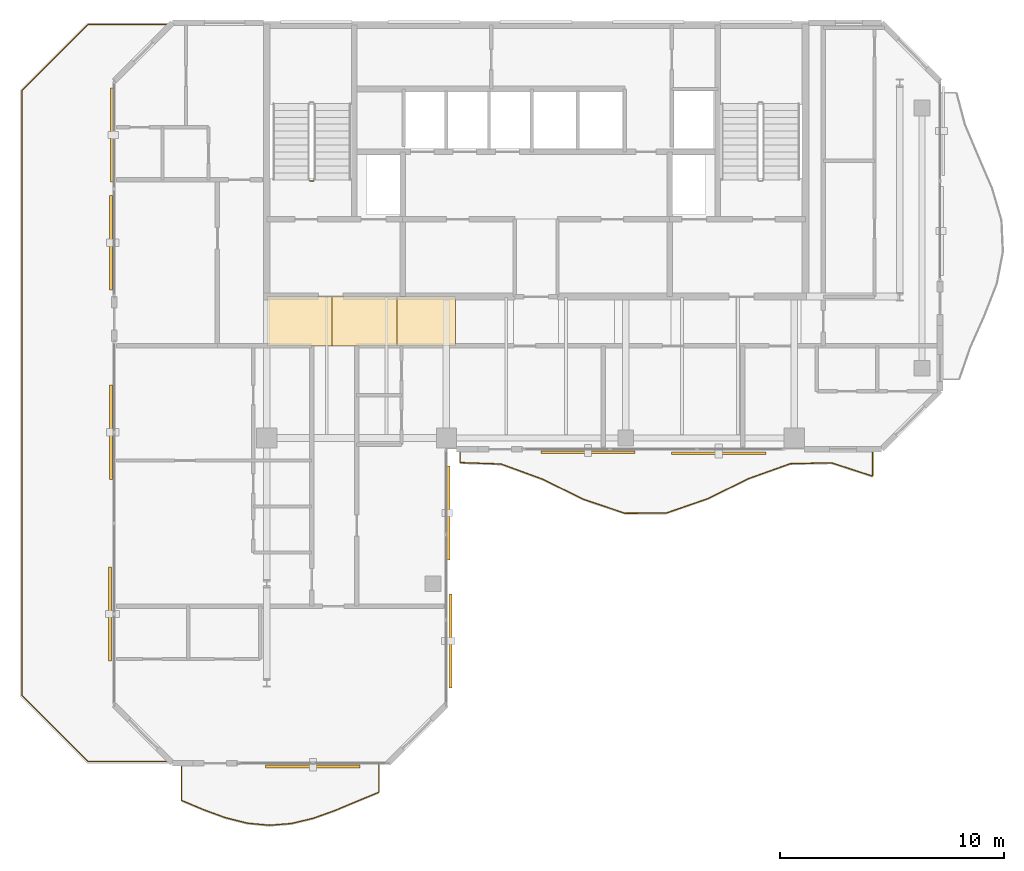
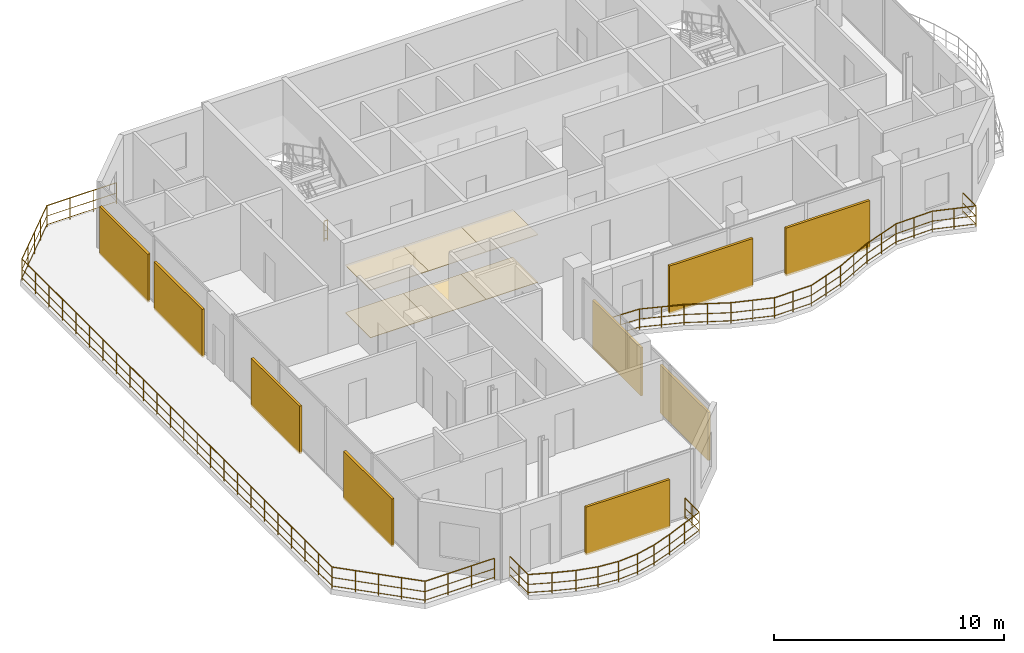
# One storey, part 17 of 18: 9 shading devices, 6 coverings, 5 railings.
"""IFC4 building model written with IfcOpenShell, lengths in metres."""

from ifc_helpers import new_model, si_unit, direction, frame, origin, origin_2d, place, context, subcontext, project, spatial, polyline, rectangle, circle, outline, extrude, material, layer, layer_set, type_object, element, save


model = new_model("IFC4")

# Units and contexts
model_context = context("Model", 3, precision=1e-05, world=origin(), true_north=direction((0.0, 1.0)))
body_context = subcontext(model_context, "Body", "Model", "MODEL_VIEW")
ifc_project = project(units=[si_unit("LENGTHUNIT", "METRE"), si_unit("AREAUNIT", "SQUARE_METRE"), si_unit("VOLUMEUNIT", "CUBIC_METRE"), si_unit("PLANEANGLEUNIT", "RADIAN"), si_unit("MASSUNIT", "GRAM", prefix="KILO")], contexts=[model_context])

# Site, building, storey
site_placement = place(None, origin())
site = spatial("IfcSite", under=ifc_project, at=site_placement, CompositionType="ELEMENT")
building_placement = place(site_placement, origin())
building = spatial("IfcBuilding", under=site, at=building_placement, Name="Catumbela Crestline Tower", CompositionType="ELEMENT")
storey_placement = place(building_placement, frame((0.0, 0.0, 264.0)))
storey = spatial("IfcBuildingStorey", under=building, at=storey_placement, Name="L68", CompositionType="ELEMENT", Elevation=264.0)

# Coverings
ifc_material_1 = material(Name="Mineral-fibre acoustic ceiling")
ifc_layer_1 = layer(ifc_material_1, 0.03, Name="Mineral-fibre acoustic ceiling")
ifc_layer_set_1 = layer_set([ifc_layer_1], Name="Mineral-fibre acoustic ceiling")
covering_type_1 = type_object("IfcCoveringType", Name="CC-AC", PredefinedType="CEILING", material=ifc_layer_set_1)
covering_1_placement = place(storey_placement, frame((0.0, 0.0, 2.52)))
element("IfcCovering", 1, at=covering_1_placement, inside=storey, type_object=covering_type_1, Name="L68 Corridor Acoustic Ceiling Bay 1", PredefinedType="CEILING", context=body_context, shape_type="SweptSolid", body=[
    extrude(outline(polyline([(16.0, 28.6), (18.9, 28.6), (18.9, 30.8), (16.0, 30.8), (16.0, 28.6)])), origin(), (0.0, 0.0, 1.0), 0.03),
])
covering_2_placement = place(storey_placement, frame((0.0, 0.0, 2.52)))
element("IfcCovering", 2, at=covering_2_placement, inside=storey, type_object=covering_type_1, Name="L68 Corridor Acoustic Ceiling Bay 2", PredefinedType="CEILING", context=body_context, shape_type="SweptSolid", body=[
    extrude(outline(polyline([(18.9, 28.6), (21.8, 28.6), (21.8, 30.8), (18.9, 30.8), (18.9, 28.6)])), origin(), (0.0, 0.0, 1.0), 0.03),
])
covering_3_placement = place(storey_placement, frame((0.0, 0.0, 2.52)))
element("IfcCovering", 3, at=covering_3_placement, inside=storey, type_object=covering_type_1, Name="L68 Corridor Acoustic Ceiling Bay 3", PredefinedType="CEILING", context=body_context, shape_type="SweptSolid", body=[
    extrude(outline(polyline([(21.8, 28.6), (24.4, 28.6), (24.4, 30.8), (21.8, 30.8), (21.8, 28.6)])), origin(), (0.0, 0.0, 1.0), 0.03),
])
ifc_material_2 = material(Name="Angolan grey-ochre granite", Category="masonry")
ifc_layer_2 = layer(ifc_material_2, 0.025, Name="Angolan grey-ochre granite")
ifc_layer_set_2 = layer_set([ifc_layer_2], Name="Angolan grey-ochre granite")
covering_type_2 = type_object("IfcCoveringType", Name="CF-GR", PredefinedType="FLOORING", material=ifc_layer_set_2)
covering_4_placement = place(storey_placement, origin())
element("IfcCovering", 4, at=covering_4_placement, inside=storey, type_object=covering_type_2, Name="L68 Corridor Granite Flooring Bay 1", PredefinedType="FLOORING", context=body_context, shape_type="SweptSolid", body=[
    extrude(outline(polyline([(16.0, 28.6), (18.9, 28.6), (18.9, 30.8), (16.0, 30.8), (16.0, 28.6)])), origin(), (0.0, 0.0, 1.0), 0.025),
])
covering_5_placement = place(storey_placement, origin())
element("IfcCovering", 5, at=covering_5_placement, inside=storey, type_object=covering_type_2, Name="L68 Corridor Granite Flooring Bay 2", PredefinedType="FLOORING", context=body_context, shape_type="SweptSolid", body=[
    extrude(outline(polyline([(18.9, 28.6), (21.8, 28.6), (21.8, 30.8), (18.9, 30.8), (18.9, 28.6)])), origin(), (0.0, 0.0, 1.0), 0.025),
])
covering_6_placement = place(storey_placement, origin())
element("IfcCovering", 6, at=covering_6_placement, inside=storey, type_object=covering_type_2, Name="L68 Corridor Granite Flooring Bay 3", PredefinedType="FLOORING", context=body_context, shape_type="SweptSolid", body=[
    extrude(outline(polyline([(21.8, 28.6), (24.4, 28.6), (24.4, 30.8), (21.8, 30.8), (21.8, 28.6)])), origin(), (0.0, 0.0, 1.0), 0.025),
])

# Railings
ifc_material_3 = material(Name="Stainless steel EN 1.4401", Category="steel")
railing_type_1 = type_object("IfcRailingType", Name="RB-1100", PredefinedType="BALUSTRADE", material=ifc_material_3)
railing_1_placement = place(storey_placement, frame((24.6, 23.94, 0.0)))
element("IfcRailing", 7, at=railing_1_placement, inside=storey, type_object=railing_type_1, Name="L68 Private Wave Balcony Balustrade 1", PredefinedType="BALUSTRADE", context=body_context, shape_type="SweptSolid", body=[
    extrude(circle(Radius=0.024, at=origin_2d()), frame((0.0, 0.0, 1.076), z_axis=(0.0, -1.0, 0.0), x_axis=(1.0, 0.0, 0.0)), (0.0, 0.0, 1.0), 0.5387),
    extrude(circle(Radius=0.0156, at=origin_2d()), frame((0.0, 0.0, 0.55), z_axis=(0.0, -1.0, 0.0), x_axis=(1.0, 0.0, 0.0)), (0.0, 0.0, 1.0), 0.5387),
    extrude(circle(Radius=0.0156, at=origin_2d()), frame((0.0, 0.0, 0.12), z_axis=(0.0, -1.0, 0.0), x_axis=(1.0, 0.0, 0.0)), (0.0, 0.0, 1.0), 0.5387),
    extrude(circle(Radius=0.024, at=origin_2d()), frame((0.0, -0.5387, 1.076), z_axis=(0.999391853654, -0.034870085329, 0.0), x_axis=(0.034870085329, 0.999391853654, 0.0)), (0.0, 0.0, 1.0), 1.8411),
    extrude(circle(Radius=0.0156, at=origin_2d()), frame((0.0, -0.5387, 0.55), z_axis=(0.999391853654, -0.034870085329, 0.0), x_axis=(0.034870085329, 0.999391853654, 0.0)), (0.0, 0.0, 1.0), 1.8411),
    extrude(circle(Radius=0.0156, at=origin_2d()), frame((0.0, -0.5387, 0.12), z_axis=(0.999391853654, -0.034870085329, 0.0), x_axis=(0.034870085329, 0.999391853654, 0.0)), (0.0, 0.0, 1.0), 1.8411),
    extrude(circle(Radius=0.024, at=origin_2d()), frame((1.84, -0.6029, 1.076), z_axis=(0.939150966947, -0.343504674324, 0.0), x_axis=(0.343504674324, 0.939150966947, 0.0)), (0.0, 0.0, 1.0), 1.9592),
    extrude(circle(Radius=0.0156, at=origin_2d()), frame((1.84, -0.6029, 0.55), z_axis=(0.939150966947, -0.343504674324, 0.0), x_axis=(0.343504674324, 0.939150966947, 0.0)), (0.0, 0.0, 1.0), 1.9592),
    extrude(circle(Radius=0.0156, at=origin_2d()), frame((1.84, -0.6029, 0.12), z_axis=(0.939150966947, -0.343504674324, 0.0), x_axis=(0.343504674324, 0.939150966947, 0.0)), (0.0, 0.0, 1.0), 1.9592),
    extrude(circle(Radius=0.024, at=origin_2d()), frame((3.68, -1.2759, 1.076), z_axis=(0.898028867435, -0.43993653321, 0.0), x_axis=(0.43993653321, 0.898028867435, 0.0)), (0.0, 0.0, 1.0), 2.0489),
    extrude(circle(Radius=0.0156, at=origin_2d()), frame((3.68, -1.2759, 0.55), z_axis=(0.898028867435, -0.43993653321, 0.0), x_axis=(0.43993653321, 0.898028867435, 0.0)), (0.0, 0.0, 1.0), 2.0489),
    extrude(circle(Radius=0.0156, at=origin_2d()), frame((3.68, -1.2759, 0.12), z_axis=(0.898028867435, -0.43993653321, 0.0), x_axis=(0.43993653321, 0.898028867435, 0.0)), (0.0, 0.0, 1.0), 2.0489),
    extrude(circle(Radius=0.024, at=origin_2d()), frame((5.52, -2.1773, 1.076), z_axis=(0.947601450983, -0.319454989155, 0.0), x_axis=(0.319454989155, 0.947601450983, 0.0)), (0.0, 0.0, 1.0), 1.9417),
    extrude(circle(Radius=0.0156, at=origin_2d()), frame((5.52, -2.1773, 0.55), z_axis=(0.947601450983, -0.319454989155, 0.0), x_axis=(0.319454989155, 0.947601450983, 0.0)), (0.0, 0.0, 1.0), 1.9417),
    extrude(circle(Radius=0.0156, at=origin_2d()), frame((5.52, -2.1773, 0.12), z_axis=(0.947601450983, -0.319454989155, 0.0), x_axis=(0.319454989155, 0.947601450983, 0.0)), (0.0, 0.0, 1.0), 1.9417),
    extrude(circle(Radius=0.024, at=origin_2d()), frame((7.36, -2.7976, 1.076), z_axis=(0.9999808075, 0.006195533264, 0.0), x_axis=(-0.006195533264, 0.9999808075, 0.0)), (0.0, 0.0, 1.0), 1.84),
    extrude(circle(Radius=0.0156, at=origin_2d()), frame((7.36, -2.7976, 0.55), z_axis=(0.9999808075, 0.006195533264, 0.0), x_axis=(-0.006195533264, 0.9999808075, 0.0)), (0.0, 0.0, 1.0), 1.84),
    extrude(circle(Radius=0.0156, at=origin_2d()), frame((7.36, -2.7976, 0.12), z_axis=(0.9999808075, 0.006195533264, 0.0), x_axis=(-0.006195533264, 0.9999808075, 0.0)), (0.0, 0.0, 1.0), 1.84),
    extrude(circle(Radius=0.024, at=origin_2d()), frame((9.2, -2.7862, 1.076), z_axis=(0.945037354701, 0.326962380436, 0.0), x_axis=(-0.326962380436, 0.945037354701, 0.0)), (0.0, 0.0, 1.0), 1.947),
    extrude(circle(Radius=0.0156, at=origin_2d()), frame((9.2, -2.7862, 0.55), z_axis=(0.945037354701, 0.326962380436, 0.0), x_axis=(-0.326962380436, 0.945037354701, 0.0)), (0.0, 0.0, 1.0), 1.947),
    extrude(circle(Radius=0.0156, at=origin_2d()), frame((9.2, -2.7862, 0.12), z_axis=(0.945037354701, 0.326962380436, 0.0), x_axis=(-0.326962380436, 0.945037354701, 0.0)), (0.0, 0.0, 1.0), 1.947),
    extrude(circle(Radius=0.024, at=origin_2d()), frame((11.04, -2.1496, 1.076), z_axis=(0.897913159106, 0.440172646475, 0.0), x_axis=(-0.440172646475, 0.897913159106, 0.0)), (0.0, 0.0, 1.0), 2.0492),
    extrude(circle(Radius=0.0156, at=origin_2d()), frame((11.04, -2.1496, 0.55), z_axis=(0.897913159106, 0.440172646475, 0.0), x_axis=(-0.440172646475, 0.897913159106, 0.0)), (0.0, 0.0, 1.0), 2.0492),
    extrude(circle(Radius=0.0156, at=origin_2d()), frame((11.04, -2.1496, 0.12), z_axis=(0.897913159106, 0.440172646475, 0.0), x_axis=(-0.440172646475, 0.897913159106, 0.0)), (0.0, 0.0, 1.0), 2.0492),
    extrude(circle(Radius=0.024, at=origin_2d()), frame((12.88, -1.2476, 1.076), z_axis=(0.941667785429, 0.336543878097, 0.0), x_axis=(-0.336543878097, 0.941667785429, 0.0)), (0.0, 0.0, 1.0), 1.954),
    extrude(circle(Radius=0.0156, at=origin_2d()), frame((12.88, -1.2476, 0.55), z_axis=(0.941667785429, 0.336543878097, 0.0), x_axis=(-0.336543878097, 0.941667785429, 0.0)), (0.0, 0.0, 1.0), 1.954),
    extrude(circle(Radius=0.0156, at=origin_2d()), frame((12.88, -1.2476, 0.12), z_axis=(0.941667785429, 0.336543878097, 0.0), x_axis=(-0.336543878097, 0.941667785429, 0.0)), (0.0, 0.0, 1.0), 1.954),
    extrude(circle(Radius=0.024, at=origin_2d()), frame((14.72, -0.59, 1.076), z_axis=(0.999744521378, 0.022602919614, 0.0), x_axis=(-0.022602919614, 0.999744521378, 0.0)), (0.0, 0.0, 1.0), 1.8405),
    extrude(circle(Radius=0.0156, at=origin_2d()), frame((14.72, -0.59, 0.55), z_axis=(0.999744521378, 0.022602919614, 0.0), x_axis=(-0.022602919614, 0.999744521378, 0.0)), (0.0, 0.0, 1.0), 1.8405),
    extrude(circle(Radius=0.0156, at=origin_2d()), frame((14.72, -0.59, 0.12), z_axis=(0.999744521378, 0.022602919614, 0.0), x_axis=(-0.022602919614, 0.999744521378, 0.0)), (0.0, 0.0, 1.0), 1.8405),
    extrude(circle(Radius=0.024, at=origin_2d()), frame((16.56, -0.5484, 1.076), z_axis=(0.951034068731, -0.309086072338, 0.0), x_axis=(0.309086072338, 0.951034068731, 0.0)), (0.0, 0.0, 1.0), 1.9347),
    extrude(circle(Radius=0.0156, at=origin_2d()), frame((16.56, -0.5484, 0.55), z_axis=(0.951034068731, -0.309086072338, 0.0), x_axis=(0.309086072338, 0.951034068731, 0.0)), (0.0, 0.0, 1.0), 1.9347),
    extrude(circle(Radius=0.0156, at=origin_2d()), frame((16.56, -0.5484, 0.12), z_axis=(0.951034068731, -0.309086072338, 0.0), x_axis=(0.309086072338, 0.951034068731, 0.0)), (0.0, 0.0, 1.0), 1.9347),
    extrude(circle(Radius=0.024, at=origin_2d()), frame((18.4, -1.1464, 1.076), z_axis=(0.0, 1.0, 0.0), x_axis=(-1.0, 0.0, 0.0)), (0.0, 0.0, 1.0), 1.1464),
    extrude(circle(Radius=0.0156, at=origin_2d()), frame((18.4, -1.1464, 0.55), z_axis=(0.0, 1.0, 0.0), x_axis=(-1.0, 0.0, 0.0)), (0.0, 0.0, 1.0), 1.1464),
    extrude(circle(Radius=0.0156, at=origin_2d()), frame((18.4, -1.1464, 0.12), z_axis=(0.0, 1.0, 0.0), x_axis=(-1.0, 0.0, 0.0)), (0.0, 0.0, 1.0), 1.1464),
    extrude(circle(Radius=0.021, at=origin_2d()), origin(), (0.0, 0.0, 1.0), 1.052),
    extrude(circle(Radius=0.021, at=origin_2d()), frame((0.0, -0.5387, 0.0)), (0.0, 0.0, 1.0), 1.052),
    extrude(circle(Radius=0.021, at=origin_2d()), frame((0.92, -0.5708, 0.0)), (0.0, 0.0, 1.0), 1.052),
    extrude(circle(Radius=0.021, at=origin_2d()), frame((1.84, -0.6029, 0.0)), (0.0, 0.0, 1.0), 1.052),
    extrude(circle(Radius=0.021, at=origin_2d()), frame((2.76, -0.9394, 0.0)), (0.0, 0.0, 1.0), 1.052),
    extrude(circle(Radius=0.021, at=origin_2d()), frame((3.68, -1.2759, 0.0)), (0.0, 0.0, 1.0), 1.052),
    extrude(circle(Radius=0.021, at=origin_2d()), frame((4.6, -1.7266, 0.0)), (0.0, 0.0, 1.0), 1.052),
    extrude(circle(Radius=0.021, at=origin_2d()), frame((5.52, -2.1773, 0.0)), (0.0, 0.0, 1.0), 1.052),
    extrude(circle(Radius=0.021, at=origin_2d()), frame((6.44, -2.4875, 0.0)), (0.0, 0.0, 1.0), 1.052),
    extrude(circle(Radius=0.021, at=origin_2d()), frame((7.36, -2.7976, 0.0)), (0.0, 0.0, 1.0), 1.052),
    extrude(circle(Radius=0.021, at=origin_2d()), frame((8.28, -2.7919, 0.0)), (0.0, 0.0, 1.0), 1.052),
    extrude(circle(Radius=0.021, at=origin_2d()), frame((9.2, -2.7862, 0.0)), (0.0, 0.0, 1.0), 1.052),
    extrude(circle(Radius=0.021, at=origin_2d()), frame((10.12, -2.4679, 0.0)), (0.0, 0.0, 1.0), 1.052),
    extrude(circle(Radius=0.021, at=origin_2d()), frame((11.04, -2.1496, 0.0)), (0.0, 0.0, 1.0), 1.052),
    extrude(circle(Radius=0.021, at=origin_2d()), frame((11.96, -1.6986, 0.0)), (0.0, 0.0, 1.0), 1.052),
    extrude(circle(Radius=0.021, at=origin_2d()), frame((12.88, -1.2476, 0.0)), (0.0, 0.0, 1.0), 1.052),
    extrude(circle(Radius=0.021, at=origin_2d()), frame((13.8, -0.9188, 0.0)), (0.0, 0.0, 1.0), 1.052),
    extrude(circle(Radius=0.021, at=origin_2d()), frame((14.72, -0.59, 0.0)), (0.0, 0.0, 1.0), 1.052),
    extrude(circle(Radius=0.021, at=origin_2d()), frame((15.64, -0.5692, 0.0)), (0.0, 0.0, 1.0), 1.052),
    extrude(circle(Radius=0.021, at=origin_2d()), frame((16.56, -0.5484, 0.0)), (0.0, 0.0, 1.0), 1.052),
    extrude(circle(Radius=0.021, at=origin_2d()), frame((17.48, -0.8474, 0.0)), (0.0, 0.0, 1.0), 1.052),
    extrude(circle(Radius=0.021, at=origin_2d()), frame((18.4, -1.1464, 0.0)), (0.0, 0.0, 1.0), 1.052),
    extrude(circle(Radius=0.021, at=origin_2d()), frame((18.4, 0.0, 0.0)), (0.0, 0.0, 1.0), 1.052),
])
railing_2_placement = place(storey_placement, frame((12.2, 9.94, 0.0)))
element("IfcRailing", 8, at=railing_2_placement, inside=storey, type_object=railing_type_1, Name="L68 Private Wave Balcony Balustrade 3", PredefinedType="BALUSTRADE", context=body_context, shape_type="SweptSolid", body=[
    extrude(circle(Radius=0.024, at=origin_2d()), frame((0.0, 0.0, 1.076), z_axis=(0.0, -1.0, 0.0), x_axis=(1.0, 0.0, 0.0)), (0.0, 0.0, 1.0), 1.5934),
    extrude(circle(Radius=0.0156, at=origin_2d()), frame((0.0, 0.0, 0.55), z_axis=(0.0, -1.0, 0.0), x_axis=(1.0, 0.0, 0.0)), (0.0, 0.0, 1.0), 1.5934),
    extrude(circle(Radius=0.0156, at=origin_2d()), frame((0.0, 0.0, 0.12), z_axis=(0.0, -1.0, 0.0), x_axis=(1.0, 0.0, 0.0)), (0.0, 0.0, 1.0), 1.5934),
    extrude(circle(Radius=0.024, at=origin_2d()), frame((0.0, -1.5934, 1.076), z_axis=(0.921569720082, -0.388212893948, 0.0), x_axis=(0.388212893948, 0.921569720082, 0.0)), (0.0, 0.0, 1.0), 1.061),
    extrude(circle(Radius=0.0156, at=origin_2d()), frame((0.0, -1.5934, 0.55), z_axis=(0.921569720082, -0.388212893948, 0.0), x_axis=(0.388212893948, 0.921569720082, 0.0)), (0.0, 0.0, 1.0), 1.061),
    extrude(circle(Radius=0.0156, at=origin_2d()), frame((0.0, -1.5934, 0.12), z_axis=(0.921569720082, -0.388212893948, 0.0), x_axis=(0.388212893948, 0.921569720082, 0.0)), (0.0, 0.0, 1.0), 1.061),
    extrude(circle(Radius=0.024, at=origin_2d()), frame((0.9778, -2.0053, 1.076), z_axis=(0.939008679496, -0.343893442552, 0.0), x_axis=(0.343893442552, 0.939008679496, 0.0)), (0.0, 0.0, 1.0), 1.0413),
    extrude(circle(Radius=0.0156, at=origin_2d()), frame((0.9778, -2.0053, 0.55), z_axis=(0.939008679496, -0.343893442552, 0.0), x_axis=(0.343893442552, 0.939008679496, 0.0)), (0.0, 0.0, 1.0), 1.0413),
    extrude(circle(Radius=0.0156, at=origin_2d()), frame((0.9778, -2.0053, 0.12), z_axis=(0.939008679496, -0.343893442552, 0.0), x_axis=(0.343893442552, 0.939008679496, 0.0)), (0.0, 0.0, 1.0), 1.0413),
    extrude(circle(Radius=0.024, at=origin_2d()), frame((1.9556, -2.3634, 1.076), z_axis=(0.970008121853, -0.243072506755, 0.0), x_axis=(0.243072506755, 0.970008121853, 0.0)), (0.0, 0.0, 1.0), 1.0079),
    extrude(circle(Radius=0.0156, at=origin_2d()), frame((1.9556, -2.3634, 0.55), z_axis=(0.970008121853, -0.243072506755, 0.0), x_axis=(0.243072506755, 0.970008121853, 0.0)), (0.0, 0.0, 1.0), 1.0079),
    extrude(circle(Radius=0.0156, at=origin_2d()), frame((1.9556, -2.3634, 0.12), z_axis=(0.970008121853, -0.243072506755, 0.0), x_axis=(0.243072506755, 0.970008121853, 0.0)), (0.0, 0.0, 1.0), 1.0079),
    extrude(circle(Radius=0.024, at=origin_2d()), frame((2.9333, -2.6084, 1.076), z_axis=(0.995659621087, -0.09306943073, 0.0), x_axis=(0.09306943073, 0.995659621087, 0.0)), (0.0, 0.0, 1.0), 0.9821),
    extrude(circle(Radius=0.0156, at=origin_2d()), frame((2.9333, -2.6084, 0.55), z_axis=(0.995659621087, -0.09306943073, 0.0), x_axis=(0.09306943073, 0.995659621087, 0.0)), (0.0, 0.0, 1.0), 0.9821),
    extrude(circle(Radius=0.0156, at=origin_2d()), frame((2.9333, -2.6084, 0.12), z_axis=(0.995659621087, -0.09306943073, 0.0), x_axis=(0.09306943073, 0.995659621087, 0.0)), (0.0, 0.0, 1.0), 0.9821),
    extrude(circle(Radius=0.024, at=origin_2d()), frame((3.9111, -2.6998, 1.076), z_axis=(0.996897727635, 0.078707818136, 0.0), x_axis=(-0.078707818136, 0.996897727635, 0.0)), (0.0, 0.0, 1.0), 0.9808),
    extrude(circle(Radius=0.0156, at=origin_2d()), frame((3.9111, -2.6998, 0.55), z_axis=(0.996897727635, 0.078707818136, 0.0), x_axis=(-0.078707818136, 0.996897727635, 0.0)), (0.0, 0.0, 1.0), 0.9808),
    extrude(circle(Radius=0.0156, at=origin_2d()), frame((3.9111, -2.6998, 0.12), z_axis=(0.996897727635, 0.078707818136, 0.0), x_axis=(-0.078707818136, 0.996897727635, 0.0)), (0.0, 0.0, 1.0), 0.9808),
    extrude(circle(Radius=0.024, at=origin_2d()), frame((4.8889, -2.6226, 1.076), z_axis=(0.972718619621, 0.231988118322, 0.0), x_axis=(-0.231988118322, 0.972718619621, 0.0)), (0.0, 0.0, 1.0), 1.0052),
    extrude(circle(Radius=0.0156, at=origin_2d()), frame((4.8889, -2.6226, 0.55), z_axis=(0.972718619621, 0.231988118322, 0.0), x_axis=(-0.231988118322, 0.972718619621, 0.0)), (0.0, 0.0, 1.0), 1.0052),
    extrude(circle(Radius=0.0156, at=origin_2d()), frame((4.8889, -2.6226, 0.12), z_axis=(0.972718619621, 0.231988118322, 0.0), x_axis=(-0.231988118322, 0.972718619621, 0.0)), (0.0, 0.0, 1.0), 1.0052),
    extrude(circle(Radius=0.024, at=origin_2d()), frame((5.8667, -2.3894, 1.076), z_axis=(0.941338249995, 0.337464515315, 0.0), x_axis=(-0.337464515315, 0.941338249995, 0.0)), (0.0, 0.0, 1.0), 1.0386),
    extrude(circle(Radius=0.0156, at=origin_2d()), frame((5.8667, -2.3894, 0.55), z_axis=(0.941338249995, 0.337464515315, 0.0), x_axis=(-0.337464515315, 0.941338249995, 0.0)), (0.0, 0.0, 1.0), 1.0386),
    extrude(circle(Radius=0.0156, at=origin_2d()), frame((5.8667, -2.3894, 0.12), z_axis=(0.941338249995, 0.337464515315, 0.0), x_axis=(-0.337464515315, 0.941338249995, 0.0)), (0.0, 0.0, 1.0), 1.0386),
    extrude(circle(Radius=0.024, at=origin_2d()), frame((6.8444, -2.0389, 1.076), z_axis=(0.922243202918, 0.386610236118, 0.0), x_axis=(-0.386610236118, 0.922243202918, 0.0)), (0.0, 0.0, 1.0), 1.0602),
    extrude(circle(Radius=0.0156, at=origin_2d()), frame((6.8444, -2.0389, 0.55), z_axis=(0.922243202918, 0.386610236118, 0.0), x_axis=(-0.386610236118, 0.922243202918, 0.0)), (0.0, 0.0, 1.0), 1.0602),
    extrude(circle(Radius=0.0156, at=origin_2d()), frame((6.8444, -2.0389, 0.12), z_axis=(0.922243202918, 0.386610236118, 0.0), x_axis=(-0.386610236118, 0.922243202918, 0.0)), (0.0, 0.0, 1.0), 1.0602),
    extrude(circle(Radius=0.024, at=origin_2d()), frame((7.8222, -1.629, 1.076), z_axis=(0.925085114488, 0.379759833254, 0.0), x_axis=(-0.379759833254, 0.925085114488, 0.0)), (0.0, 0.0, 1.0), 1.057),
    extrude(circle(Radius=0.0156, at=origin_2d()), frame((7.8222, -1.629, 0.55), z_axis=(0.925085114488, 0.379759833254, 0.0), x_axis=(-0.379759833254, 0.925085114488, 0.0)), (0.0, 0.0, 1.0), 1.057),
    extrude(circle(Radius=0.0156, at=origin_2d()), frame((7.8222, -1.629, 0.12), z_axis=(0.925085114488, 0.379759833254, 0.0), x_axis=(-0.379759833254, 0.925085114488, 0.0)), (0.0, 0.0, 1.0), 1.057),
    extrude(circle(Radius=0.024, at=origin_2d()), frame((8.8, -1.2276, 1.076), z_axis=(0.0, 1.0, 0.0), x_axis=(-1.0, 0.0, 0.0)), (0.0, 0.0, 1.0), 1.2276),
    extrude(circle(Radius=0.0156, at=origin_2d()), frame((8.8, -1.2276, 0.55), z_axis=(0.0, 1.0, 0.0), x_axis=(-1.0, 0.0, 0.0)), (0.0, 0.0, 1.0), 1.2276),
    extrude(circle(Radius=0.0156, at=origin_2d()), frame((8.8, -1.2276, 0.12), z_axis=(0.0, 1.0, 0.0), x_axis=(-1.0, 0.0, 0.0)), (0.0, 0.0, 1.0), 1.2276),
    extrude(circle(Radius=0.021, at=origin_2d()), origin(), (0.0, 0.0, 1.0), 1.052),
    extrude(circle(Radius=0.021, at=origin_2d()), frame((0.0, -0.7967, 0.0)), (0.0, 0.0, 1.0), 1.052),
    extrude(circle(Radius=0.021, at=origin_2d()), frame((0.0, -1.5934, 0.0)), (0.0, 0.0, 1.0), 1.052),
    extrude(circle(Radius=0.021, at=origin_2d()), frame((0.9778, -2.0053, 0.0)), (0.0, 0.0, 1.0), 1.052),
    extrude(circle(Radius=0.021, at=origin_2d()), frame((1.9556, -2.3634, 0.0)), (0.0, 0.0, 1.0), 1.052),
    extrude(circle(Radius=0.021, at=origin_2d()), frame((2.9333, -2.6084, 0.0)), (0.0, 0.0, 1.0), 1.052),
    extrude(circle(Radius=0.021, at=origin_2d()), frame((3.9111, -2.6998, 0.0)), (0.0, 0.0, 1.0), 1.052),
    extrude(circle(Radius=0.021, at=origin_2d()), frame((4.8889, -2.6226, 0.0)), (0.0, 0.0, 1.0), 1.052),
    extrude(circle(Radius=0.021, at=origin_2d()), frame((5.8667, -2.3894, 0.0)), (0.0, 0.0, 1.0), 1.052),
    extrude(circle(Radius=0.021, at=origin_2d()), frame((6.8444, -2.0389, 0.0)), (0.0, 0.0, 1.0), 1.052),
    extrude(circle(Radius=0.021, at=origin_2d()), frame((7.8222, -1.629, 0.0)), (0.0, 0.0, 1.0), 1.052),
    extrude(circle(Radius=0.021, at=origin_2d()), frame((8.8, -1.2276, 0.0)), (0.0, 0.0, 1.0), 1.052),
    extrude(circle(Radius=0.021, at=origin_2d()), frame((8.8, -0.6138, 0.0)), (0.0, 0.0, 1.0), 1.052),
    extrude(circle(Radius=0.021, at=origin_2d()), frame((8.8, 0.0, 0.0)), (0.0, 0.0, 1.0), 1.052),
])
railing_type_2 = type_object("IfcRailingType", Name="RG-1100", PredefinedType="GUARDRAIL", material=ifc_material_3)
railing_3_placement = place(storey_placement, frame((18.09, 35.95, 0.0)))
element("IfcRailing", 9, at=railing_3_placement, inside=storey, type_object=railing_type_2, Name="L68 ST-01 stair guard 4", PredefinedType="GUARDRAIL", context=body_context, shape_type="SweptSolid", body=[
    extrude(circle(Radius=0.024, at=origin_2d()), frame((0.0, 0.0, 1.076), z_axis=(-1.0, 0.0, 0.0), x_axis=(0.0, -1.0, 0.0)), (0.0, 0.0, 1.0), 0.18),
    extrude(circle(Radius=0.0156, at=origin_2d()), frame((0.0, 0.0, 0.55), z_axis=(-1.0, 0.0, 0.0), x_axis=(0.0, -1.0, 0.0)), (0.0, 0.0, 1.0), 0.18),
    extrude(circle(Radius=0.0156, at=origin_2d()), frame((0.0, 0.0, 0.12), z_axis=(-1.0, 0.0, 0.0), x_axis=(0.0, -1.0, 0.0)), (0.0, 0.0, 1.0), 0.18),
    extrude(circle(Radius=0.021, at=origin_2d()), origin(), (0.0, 0.0, 1.0), 1.052),
    extrude(circle(Radius=0.021, at=origin_2d()), frame((-0.18, 0.0, 0.0)), (0.0, 0.0, 1.0), 1.052),
])
railing_type_3 = type_object("IfcRailingType", Name="RT-1150", PredefinedType="BALUSTRADE", material=ifc_material_3)
railing_4_placement = place(storey_placement, frame((5.08, 13.0331, 0.0)))
element("IfcRailing", 10, at=railing_4_placement, inside=storey, type_object=railing_type_3, Name="L68 Stepped Terrace Balustrade 1-1", PredefinedType="BALUSTRADE", context=body_context, shape_type="SweptSolid", body=[
    extrude(circle(Radius=0.024, at=origin_2d()), frame((0.0, 0.0, 1.126), z_axis=(0.0, 1.0, 0.0), x_axis=(-1.0, 0.0, 0.0)), (0.0, 0.0, 1.0), 26.9338),
    extrude(circle(Radius=0.0156, at=origin_2d()), frame((0.0, 0.0, 0.575), z_axis=(0.0, 1.0, 0.0), x_axis=(-1.0, 0.0, 0.0)), (0.0, 0.0, 1.0), 26.9338),
    extrude(circle(Radius=0.0156, at=origin_2d()), frame((0.0, 0.0, 0.12), z_axis=(0.0, 1.0, 0.0), x_axis=(-1.0, 0.0, 0.0)), (0.0, 0.0, 1.0), 26.9338),
    extrude(circle(Radius=0.024, at=origin_2d()), frame((0.0, 26.9338, 1.126), z_axis=(0.707106781187, 0.707106781187, 0.0), x_axis=(-0.707106781187, 0.707106781187, 0.0)), (0.0, 0.0, 1.0), 4.1763),
    extrude(circle(Radius=0.0156, at=origin_2d()), frame((0.0, 26.9338, 0.575), z_axis=(0.707106781187, 0.707106781187, 0.0), x_axis=(-0.707106781187, 0.707106781187, 0.0)), (0.0, 0.0, 1.0), 4.1763),
    extrude(circle(Radius=0.0156, at=origin_2d()), frame((0.0, 26.9338, 0.12), z_axis=(0.707106781187, 0.707106781187, 0.0), x_axis=(-0.707106781187, 0.707106781187, 0.0)), (0.0, 0.0, 1.0), 4.1763),
    extrude(circle(Radius=0.024, at=origin_2d()), frame((2.9531, 29.8869, 1.126), z_axis=(1.0, 0.0, 0.0), x_axis=(0.0, 1.0, 0.0)), (0.0, 0.0, 1.0), 3.4889),
    extrude(circle(Radius=0.0156, at=origin_2d()), frame((2.9531, 29.8869, 0.575), z_axis=(1.0, 0.0, 0.0), x_axis=(0.0, 1.0, 0.0)), (0.0, 0.0, 1.0), 3.4889),
    extrude(circle(Radius=0.0156, at=origin_2d()), frame((2.9531, 29.8869, 0.12), z_axis=(1.0, 0.0, 0.0), x_axis=(0.0, 1.0, 0.0)), (0.0, 0.0, 1.0), 3.4889),
    extrude(circle(Radius=0.021, at=origin_2d()), origin(), (0.0, 0.0, 1.0), 1.102),
    extrude(circle(Radius=0.021, at=origin_2d()), frame((0.0, 1.171, 0.0)), (0.0, 0.0, 1.0), 1.102),
    extrude(circle(Radius=0.021, at=origin_2d()), frame((0.0, 2.3421, 0.0)), (0.0, 0.0, 1.0), 1.102),
    extrude(circle(Radius=0.021, at=origin_2d()), frame((0.0, 3.5131, 0.0)), (0.0, 0.0, 1.0), 1.102),
    extrude(circle(Radius=0.021, at=origin_2d()), frame((0.0, 4.6841, 0.0)), (0.0, 0.0, 1.0), 1.102),
    extrude(circle(Radius=0.021, at=origin_2d()), frame((0.0, 5.8552, 0.0)), (0.0, 0.0, 1.0), 1.102),
    extrude(circle(Radius=0.021, at=origin_2d()), frame((0.0, 7.0262, 0.0)), (0.0, 0.0, 1.0), 1.102),
    extrude(circle(Radius=0.021, at=origin_2d()), frame((0.0, 8.1972, 0.0)), (0.0, 0.0, 1.0), 1.102),
    extrude(circle(Radius=0.021, at=origin_2d()), frame((0.0, 9.3683, 0.0)), (0.0, 0.0, 1.0), 1.102),
    extrude(circle(Radius=0.021, at=origin_2d()), frame((0.0, 10.5393, 0.0)), (0.0, 0.0, 1.0), 1.102),
    extrude(circle(Radius=0.021, at=origin_2d()), frame((0.0, 11.7103, 0.0)), (0.0, 0.0, 1.0), 1.102),
    extrude(circle(Radius=0.021, at=origin_2d()), frame((0.0, 12.8814, 0.0)), (0.0, 0.0, 1.0), 1.102),
    extrude(circle(Radius=0.021, at=origin_2d()), frame((0.0, 14.0524, 0.0)), (0.0, 0.0, 1.0), 1.102),
    extrude(circle(Radius=0.021, at=origin_2d()), frame((0.0, 15.2235, 0.0)), (0.0, 0.0, 1.0), 1.102),
    extrude(circle(Radius=0.021, at=origin_2d()), frame((0.0, 16.3945, 0.0)), (0.0, 0.0, 1.0), 1.102),
    extrude(circle(Radius=0.021, at=origin_2d()), frame((0.0, 17.5655, 0.0)), (0.0, 0.0, 1.0), 1.102),
    extrude(circle(Radius=0.021, at=origin_2d()), frame((0.0, 18.7366, 0.0)), (0.0, 0.0, 1.0), 1.102),
    extrude(circle(Radius=0.021, at=origin_2d()), frame((0.0, 19.9076, 0.0)), (0.0, 0.0, 1.0), 1.102),
    extrude(circle(Radius=0.021, at=origin_2d()), frame((0.0, 21.0786, 0.0)), (0.0, 0.0, 1.0), 1.102),
    extrude(circle(Radius=0.021, at=origin_2d()), frame((0.0, 22.2497, 0.0)), (0.0, 0.0, 1.0), 1.102),
    extrude(circle(Radius=0.021, at=origin_2d()), frame((0.0, 23.4207, 0.0)), (0.0, 0.0, 1.0), 1.102),
    extrude(circle(Radius=0.021, at=origin_2d()), frame((0.0, 24.5917, 0.0)), (0.0, 0.0, 1.0), 1.102),
    extrude(circle(Radius=0.021, at=origin_2d()), frame((0.0, 25.7628, 0.0)), (0.0, 0.0, 1.0), 1.102),
    extrude(circle(Radius=0.021, at=origin_2d()), frame((0.0, 26.9338, 0.0)), (0.0, 0.0, 1.0), 1.102),
    extrude(circle(Radius=0.021, at=origin_2d()), frame((0.7383, 27.6721, 0.0)), (0.0, 0.0, 1.0), 1.102),
    extrude(circle(Radius=0.021, at=origin_2d()), frame((1.4765, 28.4104, 0.0)), (0.0, 0.0, 1.0), 1.102),
    extrude(circle(Radius=0.021, at=origin_2d()), frame((2.2148, 29.1486, 0.0)), (0.0, 0.0, 1.0), 1.102),
    extrude(circle(Radius=0.021, at=origin_2d()), frame((2.9531, 29.8869, 0.0)), (0.0, 0.0, 1.0), 1.102),
    extrude(circle(Radius=0.021, at=origin_2d()), frame((4.1161, 29.8869, 0.0)), (0.0, 0.0, 1.0), 1.102),
    extrude(circle(Radius=0.021, at=origin_2d()), frame((5.279, 29.8869, 0.0)), (0.0, 0.0, 1.0), 1.102),
    extrude(circle(Radius=0.021, at=origin_2d()), frame((6.442, 29.8869, 0.0)), (0.0, 0.0, 1.0), 1.102),
])
railing_5_placement = place(storey_placement, frame((11.522, 10.08, 0.0)))
element("IfcRailing", 11, at=railing_5_placement, inside=storey, type_object=railing_type_3, Name="L68 Stepped Terrace Balustrade 1-2", PredefinedType="BALUSTRADE", context=body_context, shape_type="SweptSolid", body=[
    extrude(circle(Radius=0.024, at=origin_2d()), frame((0.0, 0.0, 1.126), z_axis=(-1.0, 0.0, 0.0), x_axis=(0.0, -1.0, 0.0)), (0.0, 0.0, 1.0), 3.4889),
    extrude(circle(Radius=0.0156, at=origin_2d()), frame((0.0, 0.0, 0.575), z_axis=(-1.0, 0.0, 0.0), x_axis=(0.0, -1.0, 0.0)), (0.0, 0.0, 1.0), 3.4889),
    extrude(circle(Radius=0.0156, at=origin_2d()), frame((0.0, 0.0, 0.12), z_axis=(-1.0, 0.0, 0.0), x_axis=(0.0, -1.0, 0.0)), (0.0, 0.0, 1.0), 3.4889),
    extrude(circle(Radius=0.024, at=origin_2d()), frame((-3.4889, 0.0, 1.126), z_axis=(-0.707106781187, 0.707106781187, 0.0), x_axis=(-0.707106781187, -0.707106781187, 0.0)), (0.0, 0.0, 1.0), 4.1763),
    extrude(circle(Radius=0.0156, at=origin_2d()), frame((-3.4889, 0.0, 0.575), z_axis=(-0.707106781187, 0.707106781187, 0.0), x_axis=(-0.707106781187, -0.707106781187, 0.0)), (0.0, 0.0, 1.0), 4.1763),
    extrude(circle(Radius=0.0156, at=origin_2d()), frame((-3.4889, 0.0, 0.12), z_axis=(-0.707106781187, 0.707106781187, 0.0), x_axis=(-0.707106781187, -0.707106781187, 0.0)), (0.0, 0.0, 1.0), 4.1763),
    extrude(circle(Radius=0.021, at=origin_2d()), origin(), (0.0, 0.0, 1.0), 1.102),
    extrude(circle(Radius=0.021, at=origin_2d()), frame((-1.163, 0.0, 0.0)), (0.0, 0.0, 1.0), 1.102),
    extrude(circle(Radius=0.021, at=origin_2d()), frame((-2.3259, 0.0, 0.0)), (0.0, 0.0, 1.0), 1.102),
    extrude(circle(Radius=0.021, at=origin_2d()), frame((-3.4889, 0.0, 0.0)), (0.0, 0.0, 1.0), 1.102),
    extrude(circle(Radius=0.021, at=origin_2d()), frame((-4.2272, 0.7383, 0.0)), (0.0, 0.0, 1.0), 1.102),
    extrude(circle(Radius=0.021, at=origin_2d()), frame((-4.9655, 1.4765, 0.0)), (0.0, 0.0, 1.0), 1.102),
    extrude(circle(Radius=0.021, at=origin_2d()), frame((-5.7037, 2.2148, 0.0)), (0.0, 0.0, 1.0), 1.102),
    extrude(circle(Radius=0.021, at=origin_2d()), frame((-6.442, 2.9531, 0.0)), (0.0, 0.0, 1.0), 1.102),
])

# Shading devices
ifc_material_4 = material(Name="Extruded terracotta ceramic", Category="masonry")
shading_device_type_1 = type_object("IfcShadingDeviceType", Name="ST-180", PredefinedType="USERDEFINED", material=ifc_material_4)
for number, where, z_axis, x_axis, name in (
    (12, (24.099, 21.15, -0.1), (0.0, 0.0, 1.0), (0.0, 1.0, 0.0), "L68 Perforated Terracotta Solar Screen 831 (180 mm)"),
    (13, (9.101, 38.0, -0.1), (0.0, 0.0, 1.0), (0.0, -1.0, 0.0), "L68 Perforated Terracotta Solar Screen 836 (180 mm)"),
):
    element("IfcShadingDevice", number, at=place(storey_placement, frame(where, z_axis=z_axis, x_axis=x_axis)), inside=storey, type_object=shading_device_type_1, Name=name, ObjectType="SCREEN", PredefinedType="USERDEFINED", context=body_context, shape_type="SweptSolid", body=[
        extrude(rectangle(XDim=4.2, YDim=0.12, at=origin_2d()), origin(), (0.0, 0.0, 1.0), 2.55),
    ])
shading_device_type_2 = type_object("IfcShadingDeviceType", Name="ST-260", PredefinedType="USERDEFINED", material=ifc_material_4)
for number, where, z_axis, x_axis, name in (
    (14, (18.05, 9.857, -0.1), (0.0, 0.0, 1.0), (1.0, 0.0, 0.0), "L68 Perforated Terracotta Solar Screen 829 (260 mm)"),
    (15, (30.3125, 23.857, -0.1), (0.0, 0.0, 1.0), (1.0, 0.0, 0.0), "L68 Perforated Terracotta Solar Screen 832 (260 mm)"),
    (16, (9.057, 33.2, -0.1), (0.0, 0.0, 1.0), (0.0, -1.0, 0.0), "L68 Perforated Terracotta Solar Screen 837 (260 mm)"),
    (17, (9.057, 24.75, -0.1), (0.0, 0.0, 1.0), (0.0, -1.0, 0.0), "L68 Perforated Terracotta Solar Screen 838 (260 mm)"),
):
    element("IfcShadingDevice", number, at=place(storey_placement, frame(where, z_axis=z_axis, x_axis=x_axis)), inside=storey, type_object=shading_device_type_2, Name=name, ObjectType="SCREEN", PredefinedType="USERDEFINED", context=body_context, shape_type="SweptSolid", body=[
        extrude(rectangle(XDim=4.2, YDim=0.12, at=origin_2d()), origin(), (0.0, 0.0, 1.0), 2.55),
    ])
shading_device_type_3 = type_object("IfcShadingDeviceType", Name="ST-340", PredefinedType="USERDEFINED", material=ifc_material_4)
for number, where, z_axis, x_axis, name in (
    (18, (24.187, 15.45, -0.1), (0.0, 0.0, 1.0), (0.0, 1.0, 0.0), "L68 Perforated Terracotta Solar Screen 830 (340 mm)"),
    (19, (36.1375, 23.813, -0.1), (0.0, 0.0, 1.0), (1.0, 0.0, 0.0), "L68 Perforated Terracotta Solar Screen 833 (340 mm)"),
    (20, (9.013, 16.65, -0.1), (0.0, 0.0, 1.0), (0.0, -1.0, 0.0), "L68 Perforated Terracotta Solar Screen 839 (340 mm)"),
):
    element("IfcShadingDevice", number, at=place(storey_placement, frame(where, z_axis=z_axis, x_axis=x_axis)), inside=storey, type_object=shading_device_type_3, Name=name, ObjectType="SCREEN", PredefinedType="USERDEFINED", context=body_context, shape_type="SweptSolid", body=[
        extrude(rectangle(XDim=4.2, YDim=0.12, at=origin_2d()), origin(), (0.0, 0.0, 1.0), 2.55),
    ])

save(model, "model.ifc")
